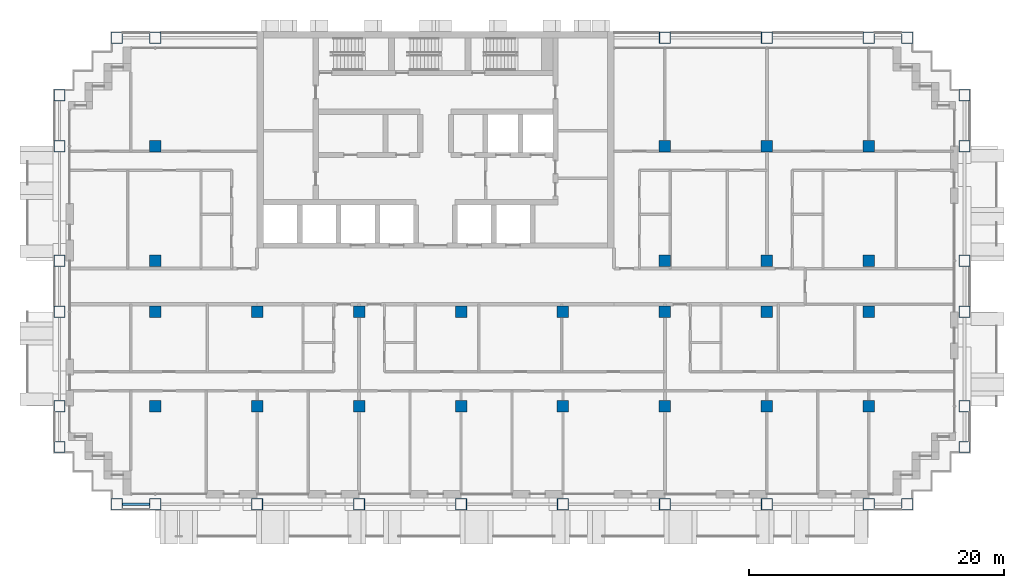
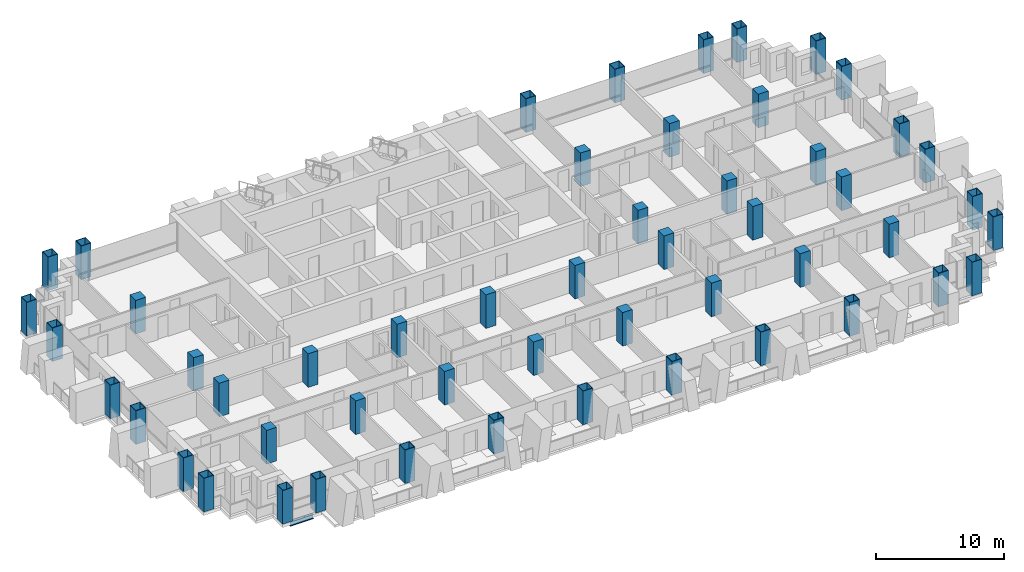
# One storey, part 1 of 18: 52 columns, 1 beam.
"""IFC4 building model written with IfcOpenShell, lengths in metres."""

from ifc_helpers import new_model, si_unit, direction, frame, origin, origin_2d, place, context, subcontext, project, spatial, rectangle, hollow_rectangle, i_section, extrude, material, material_profile, profile_set, type_object, element, save


model = new_model("IFC4")

# Units and contexts
model_context = context("Model", 3, precision=1e-05, world=origin(), true_north=direction((0.0, 1.0)))
body_context = subcontext(model_context, "Body", "Model", "MODEL_VIEW")
ifc_project = project(units=[si_unit("LENGTHUNIT", "METRE"), si_unit("AREAUNIT", "SQUARE_METRE"), si_unit("VOLUMEUNIT", "CUBIC_METRE"), si_unit("PLANEANGLEUNIT", "RADIAN"), si_unit("MASSUNIT", "GRAM", prefix="KILO")], contexts=[model_context])

# Site, building, storey
site_placement = place(None, origin())
site = spatial("IfcSite", under=ifc_project, at=site_placement, CompositionType="ELEMENT")
building_placement = place(site_placement, origin())
building = spatial("IfcBuilding", under=site, at=building_placement, Name="Vidyagriha Tower", CompositionType="ELEMENT")
storey_placement = place(building_placement, frame((0.0, 0.0, 103.10009765625)))
storey = spatial("IfcBuildingStorey", under=building, at=storey_placement, Name="L27", CompositionType="ELEMENT", Elevation=103.10009765625)

# Columns
ifc_material_1 = material(Name="Steel ASTM A572 Grade 50", Category="steel")
ifc_material_profile_1 = material_profile(ifc_material_1, hollow_rectangle(XDim=0.89990234375, YDim=0.89990234375, WallThickness=0.044921875, at=origin_2d()), Name="BOX 900x900x45")
ifc_profile_set_1 = profile_set([ifc_material_profile_1], Name="Steel ASTM A572 Grade 50")
column_type_1 = type_object("IfcColumnType", Name="Exoskeleton column BOX 900x900x45", PredefinedType="COLUMN", material=ifc_profile_set_1)
for number, where, name in (
    (1, (-25.0, -17.10009765625, 0.0), "st-col-L27-B2-001"),
    (2, (-22.0, -17.10009765625, 0.0), "st-col-L27-B2-002"),
    (3, (-14.0, -17.10009765625, 0.0), "st-col-L27-B2-003"),
    (4, (-6.0, -17.10009765625, 0.0), "st-col-L27-B2-004"),
    (5, (2.0, -17.10009765625, 0.0), "st-col-L27-B2-005"),
    (6, (10.0, -17.10009765625, 0.0), "st-col-L27-B2-006"),
    (7, (18.0, -17.10009765625, 0.0), "st-col-L27-B2-007"),
    (8, (26.0, -17.10009765625, 0.0), "st-col-L27-B2-008"),
    (9, (34.0, -17.10009765625, 0.0), "st-col-L27-B2-009"),
    (10, (37.0, -17.10009765625, 0.0), "st-col-L27-B2-010"),
    (11, (-29.5, -12.60009765625, 0.0), "st-col-L27-B2-011"),
    (12, (41.5, -12.60009765625, 0.0), "st-col-L27-B2-012"),
    (13, (-29.5, -9.39990234375, 0.0), "st-col-L27-B2-013"),
    (14, (41.5, -9.39990234375, 0.0), "st-col-L27-B2-022"),
    (15, (-29.5, -2.0, 0.0), "st-col-L27-B2-023"),
    (16, (41.5, -2.0, 0.0), "st-col-L27-B2-032"),
    (17, (-29.5, 2.0, 0.0), "st-col-L27-B2-033"),
    (18, (41.5, 2.0, 0.0), "st-col-L27-B2-038"),
    (19, (-29.5, 11.0, 0.0), "st-col-L27-B2-039"),
    (20, (41.5, 11.0, 0.0), "st-col-L27-B2-044"),
    (21, (-29.5, 15.0, 0.0), "st-col-L27-B2-045"),
    (22, (41.5, 15.0, 0.0), "st-col-L27-B2-046"),
    (23, (-25.0, 19.5, 0.0), "st-col-L27-B2-047"),
    (24, (-22.0, 19.5, 0.0), "st-col-L27-B2-048"),
    (25, (18.0, 19.5, 0.0), "st-col-L27-B2-049"),
    (26, (26.0, 19.5, 0.0), "st-col-L27-B2-050"),
    (27, (34.0, 19.5, 0.0), "st-col-L27-B2-051"),
    (28, (37.0, 19.5, 0.0), "st-col-L27-B2-052"),
):
    element("IfcColumn", number, at=place(storey_placement, frame(where)), inside=storey, type_object=column_type_1, Name=name, PredefinedType="COLUMN", context=body_context, shape_type="SweptSolid", body=[
        extrude(hollow_rectangle(XDim=0.89990234375, YDim=0.89990234375, WallThickness=0.044921875, at=origin_2d()), origin(), (0.0, 0.0, 1.0), 3.199951171875),
    ])
ifc_material_2 = material(Name="Concrete C80/95", Category="concrete")
ifc_material_profile_2 = material_profile(ifc_material_2, rectangle(XDim=0.89990234375, YDim=0.89990234375, at=origin_2d()), Name="RC 900x900")
ifc_profile_set_2 = profile_set([ifc_material_profile_2], Name="Concrete C80/95")
column_type_2 = type_object("IfcColumnType", Name="Frame column RC 900x900", PredefinedType="COLUMN", material=ifc_profile_set_2)
for number, where, name in (
    (29, (-22.0, -9.39990234375, 0.0), "st-col-L27-B2-014"),
    (30, (-14.0, -9.39990234375, 0.0), "st-col-L27-B2-015"),
    (31, (-6.0, -9.39990234375, 0.0), "st-col-L27-B2-016"),
    (32, (2.0, -9.39990234375, 0.0), "st-col-L27-B2-017"),
    (33, (10.0, -9.39990234375, 0.0), "st-col-L27-B2-018"),
    (34, (18.0, -9.39990234375, 0.0), "st-col-L27-B2-019"),
    (35, (26.0, -9.39990234375, 0.0), "st-col-L27-B2-020"),
    (36, (34.0, -9.39990234375, 0.0), "st-col-L27-B2-021"),
    (37, (-22.0, -2.0, 0.0), "st-col-L27-B2-024"),
    (38, (-14.0, -2.0, 0.0), "st-col-L27-B2-025"),
    (39, (-6.0, -2.0, 0.0), "st-col-L27-B2-026"),
    (40, (2.0, -2.0, 0.0), "st-col-L27-B2-027"),
    (41, (10.0, -2.0, 0.0), "st-col-L27-B2-028"),
    (42, (18.0, -2.0, 0.0), "st-col-L27-B2-029"),
    (43, (26.0, -2.0, 0.0), "st-col-L27-B2-030"),
    (44, (34.0, -2.0, 0.0), "st-col-L27-B2-031"),
    (45, (-22.0, 2.0, 0.0), "st-col-L27-B2-034"),
    (46, (18.0, 2.0, 0.0), "st-col-L27-B2-035"),
    (47, (26.0, 2.0, 0.0), "st-col-L27-B2-036"),
    (48, (34.0, 2.0, 0.0), "st-col-L27-B2-037"),
    (49, (-22.0, 11.0, 0.0), "st-col-L27-B2-040"),
    (50, (18.0, 11.0, 0.0), "st-col-L27-B2-041"),
    (51, (26.0, 11.0, 0.0), "st-col-L27-B2-042"),
    (52, (34.0, 11.0, 0.0), "st-col-L27-B2-043"),
):
    element("IfcColumn", number, at=place(storey_placement, frame(where)), inside=storey, type_object=column_type_2, Name=name, PredefinedType="COLUMN", context=body_context, shape_type="SweptSolid", body=[
        extrude(rectangle(XDim=0.89990234375, YDim=0.89990234375, at=origin_2d()), origin(), (0.0, 0.0, 1.0), 3.199951171875),
    ])

# Beam
ifc_material_3 = material(Name="Steel ASTM A992 Grade 50", Category="steel")
ifc_material_profile_3 = material_profile(ifc_material_3, i_section(OverallWidth=0.19189453125, OverallDepth=0.46240234375, WebThickness=0.010498046875, FlangeThickness=0.017578125, at=origin_2d()), Name="W18X60")
ifc_profile_set_3 = profile_set([ifc_material_profile_3], Name="Steel ASTM A992 Grade 50")
beam_type = type_object("IfcBeamType", Name="Edge beam W18X60", PredefinedType="SPANDREL", material=ifc_profile_set_3)
beam_placement = place(storey_placement, frame((-24.550048828125, -17.10009765625, -0.51123046875), z_axis=(1.0, 0.0, 0.0), x_axis=(0.0, 1.0, 0.0)))
element("IfcBeam", 53, at=beam_placement, inside=storey, type_object=beam_type, Name="st-beam-L27-S01", PredefinedType="SPANDREL", context=body_context, shape_type="SweptSolid", body=[
    extrude(i_section(OverallWidth=0.19189453125, OverallDepth=0.46240234375, WebThickness=0.010498046875, FlangeThickness=0.017578125, at=origin_2d()), origin(), (0.0, 0.0, 1.0), 2.10009765625),
])

save(model, "model.ifc")
